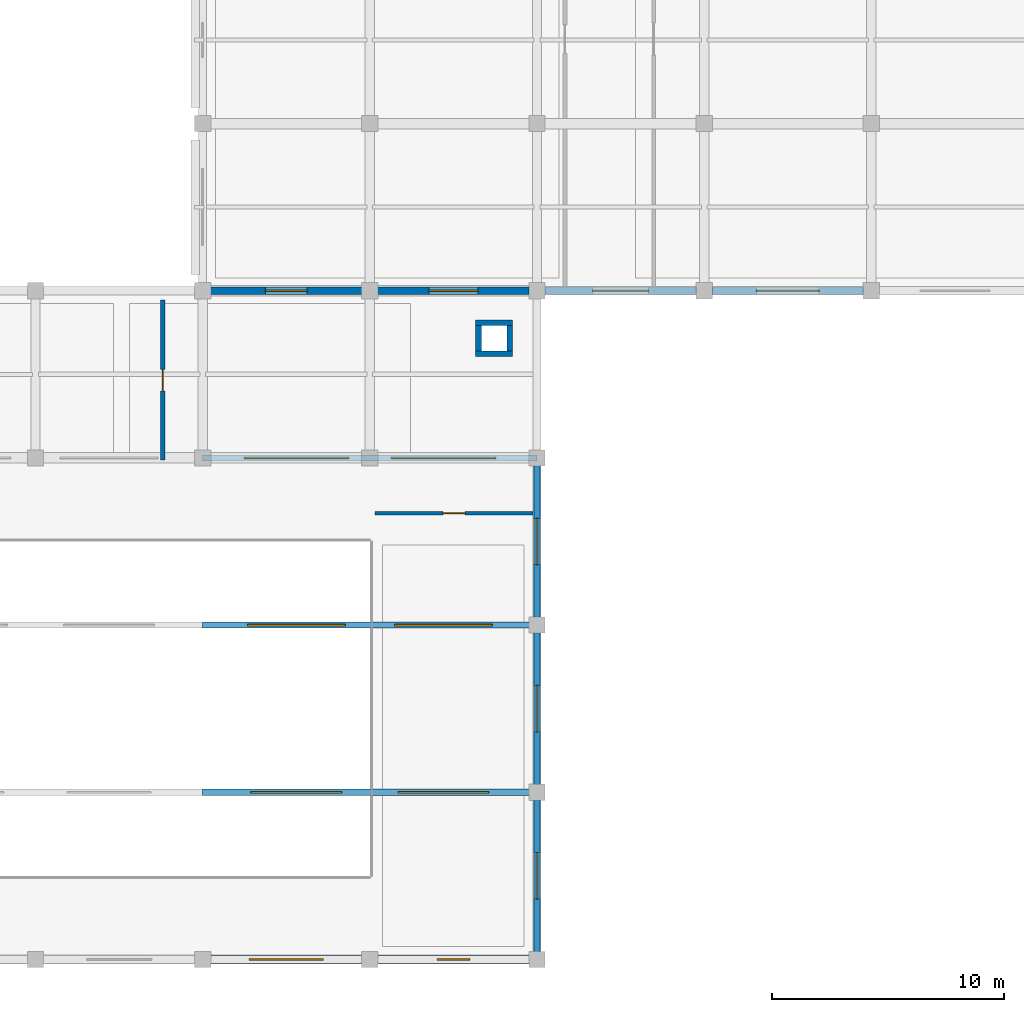
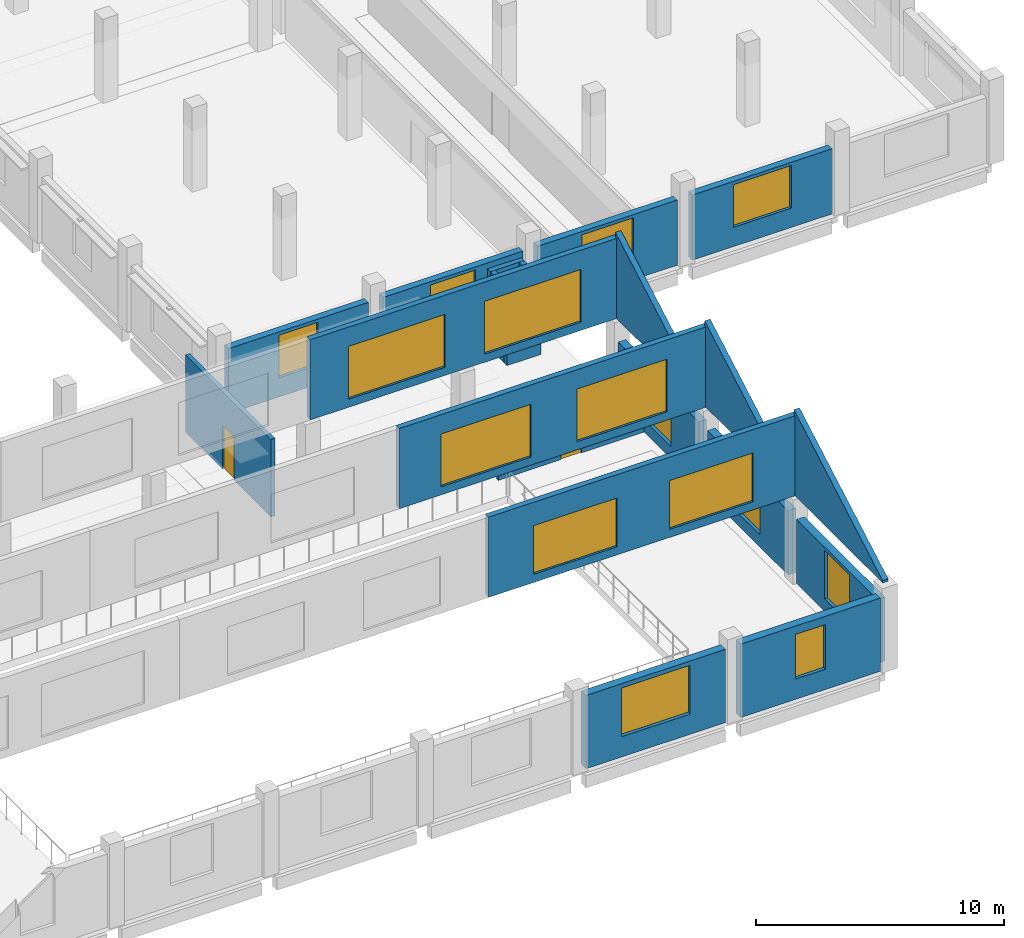
# One storey, part 45 of 62: 21 walls, 15 windows, 2 doors, 17 openings.
"""IFC4 building model written with IfcOpenShell, lengths in metres."""

from ifc_helpers import new_model, si_unit, direction, frame, frame_2d, origin, place, context, subcontext, project, spatial, polyline, rectangle, outline, extrude, material, layer, layer_set, type_object, element, fill, save


model = new_model("IFC4")

# Units and contexts
model_context = context("Model", 3, precision=1e-05, world=origin(), true_north=direction((0.0, 1.0)))
body_context = subcontext(model_context, "Body", "Model", "MODEL_VIEW")
ifc_project = project(units=[si_unit("LENGTHUNIT", "METRE"), si_unit("AREAUNIT", "SQUARE_METRE"), si_unit("VOLUMEUNIT", "CUBIC_METRE"), si_unit("PLANEANGLEUNIT", "RADIAN"), si_unit("MASSUNIT", "GRAM", prefix="KILO")], contexts=[model_context])

# Site, building, storey
site_placement = place(None, origin())
site = spatial("IfcSite", under=ifc_project, at=site_placement, CompositionType="ELEMENT")
building_placement = place(site_placement, origin())
building = spatial("IfcBuilding", under=site, at=building_placement, Name="Valkovuoma Quantum and Materials Research Institute", CompositionType="ELEMENT")
storey_placement = place(building_placement, frame((0.0, 0.0, 8.9599609375)))
storey = spatial("IfcBuildingStorey", under=building, at=storey_placement, Name="L02", CompositionType="ELEMENT", Elevation=8.9599609375)

# Wall, opening, window
ifc_material_1 = material(Name="Precast concrete C40/50", Category="concrete")
ifc_layer_1 = layer(ifc_material_1, 0.320068359375)
ifc_layer_set_1 = layer_set([ifc_layer_1], Name="Precast concrete C40/50")
wall_type_1 = type_object("IfcWallType", Name="Wall-W-EXT320", PredefinedType="SOLIDWALL", material=ifc_layer_set_1)
wall_1_placement = place(storey_placement, frame((129.93994140625, 36.0, 0.0), z_axis=(0.0, 0.0, 1.0), x_axis=(1.0, 0.0, 0.0)))
wall_1 = element("IfcWall", 1, at=wall_1_placement, inside=storey, type_object=wall_type_1, Name="L02 exterior wall 0264", PredefinedType="SOLIDWALL", context=body_context, shape_type="SweptSolid", body=[
    extrude(rectangle(XDim=6.52001953125, YDim=0.320068359375, at=frame_2d((3.260009765625, 0.0))), origin(), (0.0, 0.0, 1.0), 3.2099609375),
])
opening_1_placement = place(wall_1_placement, frame((2.360107421875, 0.0, 0.949951171875)))
opening_1 = element("IfcOpeningElement", 2, at=opening_1_placement, cuts=wall_1, Name="Opening WN-WL01", PredefinedType="OPENING", context=body_context, shape_type="SweptSolid", body=[
    extrude(rectangle(XDim=1.800048828125, YDim=2.10009765625, at=frame_2d((0.89990234375, 1.050048828125))), frame((0.0, 0.169921875, 0.0), z_axis=(0.0, -1.0, 0.0), x_axis=(1.0, 0.0, 0.0)), (0.0, 0.0, 1.0), 0.340087890625),
])
ifc_material_2 = material(Name="Triple low-E argon glazing in thermally broken aluminium frame", Category="aluminium")
window_type_1 = type_object("IfcWindowType", Name="Win-WN-WL01", PartitioningType="SINGLE_PANEL", PredefinedType="WINDOW", material=ifc_material_2)
window_1_placement = place(opening_1_placement, origin())
window_1 = element("IfcWindow", 3, at=window_1_placement, inside=storey, type_object=window_type_1, Name="L02 window 0280", OverallHeight=2.10009765625, OverallWidth=1.800048828125, PartitioningType="SINGLE_PANEL", PredefinedType="WINDOW", context=body_context, shape_type="SweptSolid", body=[
    extrude(rectangle(XDim=1.800048828125, YDim=2.10009765625, at=frame_2d((0.89990234375, 1.050048828125))), frame((0.0, 0.030029296875, 0.0), z_axis=(0.0, -1.0, 0.0), x_axis=(1.0, 0.0, 0.0)), (0.0, 0.0, 1.0), 0.06005859375),
])
fill(opening_1, window_1)

wall_2_placement = place(storey_placement, frame((137.139892578125, 36.0, 0.0), z_axis=(0.0, 0.0, 1.0), x_axis=(1.0, 0.0, 0.0)))
wall_2 = element("IfcWall", 4, at=wall_2_placement, inside=storey, type_object=wall_type_1, Name="L02 exterior wall 0265", PredefinedType="SOLIDWALL", context=body_context, shape_type="SweptSolid", body=[
    extrude(rectangle(XDim=6.52001953125, YDim=0.320068359375, at=frame_2d((3.260009765625, 0.0))), origin(), (0.0, 0.0, 1.0), 3.2099609375),
])
opening_2_placement = place(wall_2_placement, frame((2.2099609375, 0.0, 0.949951171875)))
opening_2 = element("IfcOpeningElement", 5, at=opening_2_placement, cuts=wall_2, Name="Opening WN-WL02", PredefinedType="OPENING", context=body_context, shape_type="SweptSolid", body=[
    extrude(rectangle(XDim=2.10009765625, YDim=2.10009765625, at=frame_2d((1.050048828125, 1.050048828125))), frame((0.0, 0.169921875, 0.0), z_axis=(0.0, -1.0, 0.0), x_axis=(1.0, 0.0, 0.0)), (0.0, 0.0, 1.0), 0.340087890625),
])
ifc_material_3 = material(Name="Triple low-E argon glazing in thermally broken aluminium frame", Category="aluminium")
window_type_2 = type_object("IfcWindowType", Name="Win-WN-WL02", PartitioningType="SINGLE_PANEL", PredefinedType="WINDOW", material=ifc_material_3)
window_2_placement = place(opening_2_placement, origin())
window_2 = element("IfcWindow", 6, at=window_2_placement, inside=storey, type_object=window_type_2, Name="L02 window 0281", OverallHeight=2.10009765625, OverallWidth=2.10009765625, PartitioningType="SINGLE_PANEL", PredefinedType="WINDOW", context=body_context, shape_type="SweptSolid", body=[
    extrude(rectangle(XDim=2.10009765625, YDim=2.10009765625, at=frame_2d((1.050048828125, 1.050048828125))), frame((0.0, 0.030029296875, 0.0), z_axis=(0.0, -1.0, 0.0), x_axis=(1.0, 0.0, 0.0)), (0.0, 0.0, 1.0), 0.06005859375),
])
fill(opening_2, window_2)

wall_3_placement = place(storey_placement, frame((144.340087890625, 36.0, 0.0), z_axis=(0.0, 0.0, 1.0), x_axis=(1.0, 0.0, 0.0)))
wall_3 = element("IfcWall", 7, at=wall_3_placement, inside=storey, type_object=wall_type_1, Name="L02 exterior wall 0266", PredefinedType="SOLIDWALL", context=body_context, shape_type="SweptSolid", body=[
    extrude(rectangle(XDim=6.52001953125, YDim=0.320068359375, at=frame_2d((3.260009765625, 0.0))), origin(), (0.0, 0.0, 1.0), 3.2099609375),
])
opening_3_placement = place(wall_3_placement, frame((2.06005859375, 0.0, 0.949951171875)))
opening_3 = element("IfcOpeningElement", 8, at=opening_3_placement, cuts=wall_3, Name="Opening WN-WL03", PredefinedType="OPENING", context=body_context, shape_type="SweptSolid", body=[
    extrude(rectangle(XDim=2.39990234375, YDim=2.10009765625, at=frame_2d((1.199951171875, 1.050048828125))), frame((0.0, 0.169921875, 0.0), z_axis=(0.0, -1.0, 0.0), x_axis=(1.0, 0.0, 0.0)), (0.0, 0.0, 1.0), 0.340087890625),
])
ifc_material_4 = material(Name="Triple low-E argon glazing in thermally broken aluminium frame", Category="aluminium")
window_type_3 = type_object("IfcWindowType", Name="Win-WN-WL03", PartitioningType="SINGLE_PANEL", PredefinedType="WINDOW", material=ifc_material_4)
window_3_placement = place(opening_3_placement, origin())
window_3 = element("IfcWindow", 9, at=window_3_placement, inside=storey, type_object=window_type_3, Name="L02 window 0282", OverallHeight=2.10009765625, OverallWidth=2.39990234375, PartitioningType="SINGLE_PANEL", PredefinedType="WINDOW", context=body_context, shape_type="SweptSolid", body=[
    extrude(rectangle(XDim=2.39990234375, YDim=2.10009765625, at=frame_2d((1.199951171875, 1.050048828125))), frame((0.0, 0.030029296875, 0.0), z_axis=(0.0, -1.0, 0.0), x_axis=(1.0, 0.0, 0.0)), (0.0, 0.0, 1.0), 0.06005859375),
])
fill(opening_3, window_3)

wall_4_placement = place(storey_placement, frame((151.5400390625, 36.0, 0.0), z_axis=(0.0, 0.0, 1.0), x_axis=(1.0, 0.0, 0.0)))
wall_4 = element("IfcWall", 10, at=wall_4_placement, inside=storey, type_object=wall_type_1, Name="L02 exterior wall 0267", PredefinedType="SOLIDWALL", context=body_context, shape_type="SweptSolid", body=[
    extrude(rectangle(XDim=6.52001953125, YDim=0.320068359375, at=frame_2d((3.260009765625, 0.0))), origin(), (0.0, 0.0, 1.0), 3.2099609375),
])
opening_4_placement = place(wall_4_placement, frame((1.909912109375, 0.0, 0.949951171875)))
opening_4 = element("IfcOpeningElement", 11, at=opening_4_placement, cuts=wall_4, Name="Opening WN-WL04", PredefinedType="OPENING", context=body_context, shape_type="SweptSolid", body=[
    extrude(rectangle(XDim=2.699951171875, YDim=2.10009765625, at=frame_2d((1.35009765625, 1.050048828125))), frame((0.0, 0.169921875, 0.0), z_axis=(0.0, -1.0, 0.0), x_axis=(1.0, 0.0, 0.0)), (0.0, 0.0, 1.0), 0.340087890625),
])
ifc_material_5 = material(Name="Triple low-E argon glazing in thermally broken aluminium frame", Category="aluminium")
window_type_4 = type_object("IfcWindowType", Name="Win-WN-WL04", PartitioningType="SINGLE_PANEL", PredefinedType="WINDOW", material=ifc_material_5)
window_4_placement = place(opening_4_placement, origin())
window_4 = element("IfcWindow", 12, at=window_4_placement, inside=storey, type_object=window_type_4, Name="L02 window 0283", OverallHeight=2.10009765625, OverallWidth=2.699951171875, PartitioningType="SINGLE_PANEL", PredefinedType="WINDOW", context=body_context, shape_type="SweptSolid", body=[
    extrude(rectangle(XDim=2.699951171875, YDim=2.10009765625, at=frame_2d((1.35009765625, 1.050048828125))), frame((0.0, 0.030029296875, 0.0), z_axis=(0.0, -1.0, 0.0), x_axis=(1.0, 0.0, 0.0)), (0.0, 0.0, 1.0), 0.06005859375),
])
fill(opening_4, window_4)

ifc_material_6 = material(Name="Precast concrete C40/50", Category="concrete")
ifc_layer_2 = layer(ifc_material_6, 0.360107421875)
ifc_layer_set_2 = layer_set([ifc_layer_2], Name="Precast concrete C40/50")
wall_type_2 = type_object("IfcWallType", Name="Wall-W-EXT360", PredefinedType="SOLIDWALL", material=ifc_layer_set_2)
wall_5_placement = place(storey_placement, frame((144.0, 7.5400390625, 0.0), z_axis=(0.0, 0.0, 1.0), x_axis=(0.0, 1.0, 0.0)))
wall_5 = element("IfcWall", 13, at=wall_5_placement, inside=storey, type_object=wall_type_2, Name="L02 exterior wall 0112", PredefinedType="SOLIDWALL", context=body_context, shape_type="SweptSolid", body=[
    extrude(rectangle(XDim=6.52001953125, YDim=0.360107421875, at=frame_2d((3.260009765625, 0.0))), origin(), (0.0, 0.0, 1.0), 3.16015625),
])
opening_5_placement = place(wall_5_placement, frame((2.260009765625, 0.0, 0.60009765625)))
opening_5 = element("IfcOpeningElement", 14, at=opening_5_placement, cuts=wall_5, Name="Opening WN-LF02", PredefinedType="OPENING", context=body_context, shape_type="SweptSolid", body=[
    extrude(rectangle(XDim=2.0, YDim=2.39990234375, at=frame_2d((1.0, 1.199951171875))), frame((0.0, 0.18994140625, 0.0), z_axis=(0.0, -1.0, 0.0), x_axis=(1.0, 0.0, 0.0)), (0.0, 0.0, 1.0), 0.380126953125),
])
ifc_material_7 = material(Name="Triple low-E argon glazing in thermally broken aluminium frame", Category="aluminium")
window_type_5 = type_object("IfcWindowType", Name="Win-WN-LF02", PartitioningType="SINGLE_PANEL", PredefinedType="WINDOW", material=ifc_material_7)
window_5_placement = place(opening_5_placement, origin())
window_5 = element("IfcWindow", 15, at=window_5_placement, inside=storey, type_object=window_type_5, Name="L02 window 0101", OverallHeight=2.39990234375, OverallWidth=2.0, PartitioningType="SINGLE_PANEL", PredefinedType="WINDOW", context=body_context, shape_type="SweptSolid", body=[
    extrude(rectangle(XDim=2.0, YDim=2.39990234375, at=frame_2d((1.0, 1.199951171875))), frame((0.0, 0.030029296875, 0.0), z_axis=(0.0, -1.0, 0.0), x_axis=(1.0, 0.0, 0.0)), (0.0, 0.0, 1.0), 0.06005859375),
])
fill(opening_5, window_5)

wall_6_placement = place(storey_placement, frame((144.0, 14.739990234375, 0.0), z_axis=(0.0, 0.0, 1.0), x_axis=(0.0, 1.0, 0.0)))
wall_6 = element("IfcWall", 16, at=wall_6_placement, inside=storey, type_object=wall_type_2, Name="L02 exterior wall 0113", PredefinedType="SOLIDWALL", context=body_context, shape_type="SweptSolid", body=[
    extrude(rectangle(XDim=6.52001953125, YDim=0.360107421875, at=frame_2d((3.260009765625, 0.0))), origin(), (0.0, 0.0, 1.0), 3.16015625),
])
opening_6_placement = place(wall_6_placement, frame((2.260009765625, 0.0, 0.60009765625)))
opening_6 = element("IfcOpeningElement", 17, at=opening_6_placement, cuts=wall_6, Name="Opening WN-LF02", PredefinedType="OPENING", context=body_context, shape_type="SweptSolid", body=[
    extrude(rectangle(XDim=2.0, YDim=2.39990234375, at=frame_2d((1.0, 1.199951171875))), frame((0.0, 0.18994140625, 0.0), z_axis=(0.0, -1.0, 0.0), x_axis=(1.0, 0.0, 0.0)), (0.0, 0.0, 1.0), 0.380126953125),
])
window_6_placement = place(opening_6_placement, origin())
window_6 = element("IfcWindow", 18, at=window_6_placement, inside=storey, type_object=window_type_5, Name="L02 window 0102", OverallHeight=2.39990234375, OverallWidth=2.0, PartitioningType="SINGLE_PANEL", PredefinedType="WINDOW", context=body_context, shape_type="SweptSolid", body=[
    extrude(rectangle(XDim=2.0, YDim=2.39990234375, at=frame_2d((1.0, 1.199951171875))), frame((0.0, 0.030029296875, 0.0), z_axis=(0.0, -1.0, 0.0), x_axis=(1.0, 0.0, 0.0)), (0.0, 0.0, 1.0), 0.06005859375),
])
fill(opening_6, window_6)

wall_7_placement = place(storey_placement, frame((144.0, 21.93994140625, 0.0), z_axis=(0.0, 0.0, 1.0), x_axis=(0.0, 1.0, 0.0)))
wall_7 = element("IfcWall", 19, at=wall_7_placement, inside=storey, type_object=wall_type_2, Name="L02 exterior wall 0114", PredefinedType="SOLIDWALL", context=body_context, shape_type="SweptSolid", body=[
    extrude(rectangle(XDim=6.52001953125, YDim=0.360107421875, at=frame_2d((3.260009765625, 0.0))), origin(), (0.0, 0.0, 1.0), 3.16015625),
])
opening_7_placement = place(wall_7_placement, frame((2.260009765625, 0.0, 0.60009765625)))
opening_7 = element("IfcOpeningElement", 20, at=opening_7_placement, cuts=wall_7, Name="Opening WN-LF02", PredefinedType="OPENING", context=body_context, shape_type="SweptSolid", body=[
    extrude(rectangle(XDim=2.0, YDim=2.39990234375, at=frame_2d((1.0, 1.199951171875))), frame((0.0, 0.18994140625, 0.0), z_axis=(0.0, -1.0, 0.0), x_axis=(1.0, 0.0, 0.0)), (0.0, 0.0, 1.0), 0.380126953125),
])
window_7_placement = place(opening_7_placement, origin())
window_7 = element("IfcWindow", 21, at=window_7_placement, inside=storey, type_object=window_type_5, Name="L02 window 0103", OverallHeight=2.39990234375, OverallWidth=2.0, PartitioningType="SINGLE_PANEL", PredefinedType="WINDOW", context=body_context, shape_type="SweptSolid", body=[
    extrude(rectangle(XDim=2.0, YDim=2.39990234375, at=frame_2d((1.0, 1.199951171875))), frame((0.0, 0.030029296875, 0.0), z_axis=(0.0, -1.0, 0.0), x_axis=(1.0, 0.0, 0.0)), (0.0, 0.0, 1.0), 0.06005859375),
])
fill(opening_7, window_7)

ifc_material_8 = material(Name="Precast concrete C40/50", Category="concrete")
ifc_layer_3 = layer(ifc_material_8, 0.3798828125)
ifc_layer_set_3 = layer_set([ifc_layer_3], Name="Precast concrete C40/50")
wall_type_3 = type_object("IfcWallType", Name="Wall-W-EXT380", PredefinedType="SOLIDWALL", material=ifc_layer_set_3)
wall_8_placement = place(storey_placement, frame((129.93994140625, 7.199951171875, 0.0), z_axis=(0.0, 0.0, 1.0), x_axis=(1.0, 0.0, 0.0)))
wall_8 = element("IfcWall", 22, at=wall_8_placement, inside=storey, type_object=wall_type_3, Name="L02 exterior wall 0106", PredefinedType="SOLIDWALL", context=body_context, shape_type="SweptSolid", body=[
    extrude(rectangle(XDim=6.52001953125, YDim=0.3798828125, at=frame_2d((3.260009765625, 0.0))), origin(), (0.0, 0.0, 1.0), 3.610107421875),
])
opening_8_placement = place(wall_8_placement, frame((1.659912109375, 0.0, 1.0)))
opening_8 = element("IfcOpeningElement", 23, at=opening_8_placement, cuts=wall_8, Name="Opening WN-LF05", PredefinedType="OPENING", context=body_context, shape_type="SweptSolid", body=[
    extrude(rectangle(XDim=3.199951171875, YDim=2.39990234375, at=frame_2d((1.60009765625, 1.199951171875))), frame((0.0, 0.199951171875, 0.0), z_axis=(0.0, -1.0, 0.0), x_axis=(1.0, 0.0, 0.0)), (0.0, 0.0, 1.0), 0.39990234375),
])
ifc_material_9 = material(Name="Triple low-E argon glazing in thermally broken aluminium frame", Category="aluminium")
window_type_6 = type_object("IfcWindowType", Name="Win-WN-LF05", PartitioningType="SINGLE_PANEL", PredefinedType="WINDOW", material=ifc_material_9)
window_8_placement = place(opening_8_placement, origin())
window_8 = element("IfcWindow", 24, at=window_8_placement, inside=storey, type_object=window_type_6, Name="L02 window 0095", OverallHeight=2.39990234375, OverallWidth=3.199951171875, PartitioningType="SINGLE_PANEL", PredefinedType="WINDOW", context=body_context, shape_type="SweptSolid", body=[
    extrude(rectangle(XDim=3.199951171875, YDim=2.39990234375, at=frame_2d((1.60009765625, 1.199951171875))), frame((0.0, 0.030029296875, 0.0), z_axis=(0.0, -1.0, 0.0), x_axis=(1.0, 0.0, 0.0)), (0.0, 0.0, 1.0), 0.06005859375),
])
fill(opening_8, window_8)

wall_9_placement = place(storey_placement, frame((137.139892578125, 7.199951171875, 0.0), z_axis=(0.0, 0.0, 1.0), x_axis=(1.0, 0.0, 0.0)))
wall_9 = element("IfcWall", 25, at=wall_9_placement, inside=storey, type_object=wall_type_3, Name="L02 exterior wall 0107", PredefinedType="SOLIDWALL", context=body_context, shape_type="SweptSolid", body=[
    extrude(rectangle(XDim=6.52001953125, YDim=0.3798828125, at=frame_2d((3.260009765625, 0.0))), origin(), (0.0, 0.0, 1.0), 3.610107421875),
])
opening_9_placement = place(wall_9_placement, frame((2.56005859375, 0.0, 1.0)))
opening_9 = element("IfcOpeningElement", 26, at=opening_9_placement, cuts=wall_9, Name="Opening WN-LF06", PredefinedType="OPENING", context=body_context, shape_type="SweptSolid", body=[
    extrude(rectangle(XDim=1.39990234375, YDim=2.199951171875, at=frame_2d((0.699951171875, 1.10009765625))), frame((0.0, 0.199951171875, 0.0), z_axis=(0.0, -1.0, 0.0), x_axis=(1.0, 0.0, 0.0)), (0.0, 0.0, 1.0), 0.39990234375),
])
ifc_material_10 = material(Name="Triple low-E argon glazing in thermally broken aluminium frame", Category="aluminium")
window_type_7 = type_object("IfcWindowType", Name="Win-WN-LF06", PartitioningType="SINGLE_PANEL", PredefinedType="WINDOW", material=ifc_material_10)
window_9_placement = place(opening_9_placement, origin())
window_9 = element("IfcWindow", 27, at=window_9_placement, inside=storey, type_object=window_type_7, Name="L02 window 0096", OverallHeight=2.199951171875, OverallWidth=1.39990234375, PartitioningType="SINGLE_PANEL", PredefinedType="WINDOW", context=body_context, shape_type="SweptSolid", body=[
    extrude(rectangle(XDim=1.39990234375, YDim=2.199951171875, at=frame_2d((0.699951171875, 1.10009765625))), frame((0.0, 0.030029296875, 0.0), z_axis=(0.0, -1.0, 0.0), x_axis=(1.0, 0.0, 0.0)), (0.0, 0.0, 1.0), 0.06005859375),
])
fill(opening_9, window_9)

# Wall, openings, windows
ifc_material_11 = material(Name="Precast concrete C40/50", Category="concrete")
ifc_layer_4 = layer(ifc_material_11, 0.260009765625)
ifc_layer_set_4 = layer_set([ifc_layer_4], Name="Precast concrete C40/50")
wall_type_4 = type_object("IfcWallType", Name="Wall-W-GAB260", PredefinedType="SOLIDWALL", material=ifc_layer_set_4)
wall_10_placement = place(storey_placement, frame((129.60009765625, 14.39990234375, 4.16015625), z_axis=(0.0, 0.0, 1.0), x_axis=(1.0, 0.0, 0.0)))
wall_10 = element("IfcWall", 28, at=wall_10_placement, inside=storey, type_object=wall_type_4, Name="L02 exterior wall 0387", PredefinedType="SOLIDWALL", context=body_context, shape_type="SweptSolid", body=[
    extrude(rectangle(XDim=14.39990234375, YDim=0.260009765625, at=frame_2d((7.199951171875, 0.0))), origin(), (0.0, 0.0, 1.0), 3.949951171875),
])
opening_10_placement = place(wall_10_placement, frame((2.08203125, 0.0, 0.39990234375)))
opening_10 = element("IfcOpeningElement", 29, at=opening_10_placement, cuts=wall_10, Name="Opening SKY-05", PredefinedType="OPENING", context=body_context, shape_type="SweptSolid", body=[
    extrude(rectangle(XDim=3.89990234375, YDim=2.39990234375, at=frame_2d((1.949951171875, 1.199951171875))), frame((0.0, 0.14013671875, 0.0), z_axis=(0.0, -1.0, 0.0), x_axis=(1.0, 0.0, 0.0)), (0.0, 0.0, 1.0), 0.280029296875),
])
opening_11_placement = place(wall_10_placement, frame((8.41796875, 0.0, 0.39990234375)))
opening_11 = element("IfcOpeningElement", 30, at=opening_11_placement, cuts=wall_10, Name="Opening SKY-05", PredefinedType="OPENING", context=body_context, shape_type="SweptSolid", body=[
    extrude(rectangle(XDim=3.89990234375, YDim=2.39990234375, at=frame_2d((1.949951171875, 1.199951171875))), frame((0.0, 0.14013671875, 0.0), z_axis=(0.0, -1.0, 0.0), x_axis=(1.0, 0.0, 0.0)), (0.0, 0.0, 1.0), 0.280029296875),
])
ifc_material_12 = material(Name="Triple low-E laminated safety glass skylight", Category="glass")
window_type_8 = type_object("IfcWindowType", Name="Win-SKY-05", PartitioningType="SINGLE_PANEL", PredefinedType="SKYLIGHT", material=ifc_material_12)
window_10_placement = place(opening_10_placement, origin())
window_10 = element("IfcWindow", 31, at=window_10_placement, inside=storey, type_object=window_type_8, Name="L02 window 0383", OverallHeight=2.39990234375, OverallWidth=3.89990234375, PartitioningType="SINGLE_PANEL", PredefinedType="SKYLIGHT", context=body_context, shape_type="SweptSolid", body=[
    extrude(rectangle(XDim=3.89990234375, YDim=2.39990234375, at=frame_2d((1.949951171875, 1.199951171875))), frame((0.0, 0.030029296875, 0.0), z_axis=(0.0, -1.0, 0.0), x_axis=(1.0, 0.0, 0.0)), (0.0, 0.0, 1.0), 0.06005859375),
])
fill(opening_10, window_10)
window_11_placement = place(opening_11_placement, origin())
window_11 = element("IfcWindow", 32, at=window_11_placement, inside=storey, type_object=window_type_8, Name="L02 window 0384", OverallHeight=2.39990234375, OverallWidth=3.89990234375, PartitioningType="SINGLE_PANEL", PredefinedType="SKYLIGHT", context=body_context, shape_type="SweptSolid", body=[
    extrude(rectangle(XDim=3.89990234375, YDim=2.39990234375, at=frame_2d((1.949951171875, 1.199951171875))), frame((0.0, 0.030029296875, 0.0), z_axis=(0.0, -1.0, 0.0), x_axis=(1.0, 0.0, 0.0)), (0.0, 0.0, 1.0), 0.06005859375),
])
fill(opening_11, window_11)

# Wall
wall_11_placement = place(storey_placement, frame((144.0, 7.199951171875, 4.16015625), z_axis=(0.0, 0.0, 1.0), x_axis=(0.0, 1.0, 0.0)))
element("IfcWall", 33, at=wall_11_placement, inside=storey, type_object=wall_type_4, Name="L02 VOL1 sawtooth cheek wall 1E", PredefinedType="SOLIDWALL", context=body_context, shape_type="SweptSolid", body=[
    extrude(outline(polyline([(0.0, 0.0), (7.199951171875, 0.0), (7.199951171875, 0.119873046875), (7.159912109375, 4.199951171875), (0.0, 0.119873046875), (0.0, 0.0)])), frame((0.0, 0.1298828125, 0.0), z_axis=(0.0, -1.0, 0.0), x_axis=(1.0, 0.0, 0.0)), (0.0, 0.0, 1.0), 0.260009765625),
])

# Wall, openings, windows
wall_12_placement = place(storey_placement, frame((129.60009765625, 21.60009765625, 4.16015625), z_axis=(0.0, 0.0, 1.0), x_axis=(1.0, 0.0, 0.0)))
wall_12 = element("IfcWall", 34, at=wall_12_placement, inside=storey, type_object=wall_type_4, Name="L02 exterior wall 0392", PredefinedType="SOLIDWALL", context=body_context, shape_type="SweptSolid", body=[
    extrude(rectangle(XDim=14.39990234375, YDim=0.260009765625, at=frame_2d((7.199951171875, 0.0))), origin(), (0.0, 0.0, 1.0), 3.949951171875),
])
opening_12_placement = place(wall_12_placement, frame((1.931884765625, 0.0, 0.39990234375)))
opening_12 = element("IfcOpeningElement", 35, at=opening_12_placement, cuts=wall_12, Name="Opening SKY-01", PredefinedType="OPENING", context=body_context, shape_type="SweptSolid", body=[
    extrude(rectangle(XDim=4.199951171875, YDim=2.60009765625, at=frame_2d((2.10009765625, 1.300048828125))), frame((0.0, 0.14013671875, 0.0), z_axis=(0.0, -1.0, 0.0), x_axis=(1.0, 0.0, 0.0)), (0.0, 0.0, 1.0), 0.280029296875),
])
opening_13_placement = place(wall_12_placement, frame((8.26806640625, 0.0, 0.39990234375)))
opening_13 = element("IfcOpeningElement", 36, at=opening_13_placement, cuts=wall_12, Name="Opening SKY-01", PredefinedType="OPENING", context=body_context, shape_type="SweptSolid", body=[
    extrude(rectangle(XDim=4.199951171875, YDim=2.60009765625, at=frame_2d((2.10009765625, 1.300048828125))), frame((0.0, 0.14013671875, 0.0), z_axis=(0.0, -1.0, 0.0), x_axis=(1.0, 0.0, 0.0)), (0.0, 0.0, 1.0), 0.280029296875),
])
ifc_material_13 = material(Name="Triple low-E laminated safety glass skylight", Category="glass")
window_type_9 = type_object("IfcWindowType", Name="Win-SKY-01", PartitioningType="SINGLE_PANEL", PredefinedType="SKYLIGHT", material=ifc_material_13)
window_12_placement = place(opening_12_placement, origin())
window_12 = element("IfcWindow", 37, at=window_12_placement, inside=storey, type_object=window_type_9, Name="L02 window 0389", OverallHeight=2.60009765625, OverallWidth=4.199951171875, PartitioningType="SINGLE_PANEL", PredefinedType="SKYLIGHT", context=body_context, shape_type="SweptSolid", body=[
    extrude(rectangle(XDim=4.199951171875, YDim=2.60009765625, at=frame_2d((2.10009765625, 1.300048828125))), frame((0.0, 0.030029296875, 0.0), z_axis=(0.0, -1.0, 0.0), x_axis=(1.0, 0.0, 0.0)), (0.0, 0.0, 1.0), 0.06005859375),
])
fill(opening_12, window_12)
window_13_placement = place(opening_13_placement, origin())
window_13 = element("IfcWindow", 38, at=window_13_placement, inside=storey, type_object=window_type_9, Name="L02 window 0390", OverallHeight=2.60009765625, OverallWidth=4.199951171875, PartitioningType="SINGLE_PANEL", PredefinedType="SKYLIGHT", context=body_context, shape_type="SweptSolid", body=[
    extrude(rectangle(XDim=4.199951171875, YDim=2.60009765625, at=frame_2d((2.10009765625, 1.300048828125))), frame((0.0, 0.030029296875, 0.0), z_axis=(0.0, -1.0, 0.0), x_axis=(1.0, 0.0, 0.0)), (0.0, 0.0, 1.0), 0.06005859375),
])
fill(opening_13, window_13)

# Wall
wall_13_placement = place(storey_placement, frame((144.0, 14.39990234375, 4.16015625), z_axis=(0.0, 0.0, 1.0), x_axis=(0.0, 1.0, 0.0)))
element("IfcWall", 39, at=wall_13_placement, inside=storey, type_object=wall_type_4, Name="L02 VOL1 sawtooth cheek wall 2E", PredefinedType="SOLIDWALL", context=body_context, shape_type="SweptSolid", body=[
    extrude(outline(polyline([(0.0, 0.0), (7.2001953125, 0.0), (7.199951171875, 0.119873046875), (7.159912109375, 4.199951171875), (0.0, 0.119873046875), (0.0, 0.0)])), frame((0.0, 0.1298828125, 0.0), z_axis=(0.0, -1.0, 0.0), x_axis=(1.0, 0.0, 0.0)), (0.0, 0.0, 1.0), 0.260009765625),
])

# Wall, openings, windows
wall_14_placement = place(storey_placement, frame((129.60009765625, 28.800048828125, 4.16015625), z_axis=(0.0, 0.0, 1.0), x_axis=(1.0, 0.0, 0.0)))
wall_14 = element("IfcWall", 40, at=wall_14_placement, inside=storey, type_object=wall_type_4, Name="L02 exterior wall 0397", PredefinedType="SOLIDWALL", context=body_context, shape_type="SweptSolid", body=[
    extrude(rectangle(XDim=14.39990234375, YDim=0.260009765625, at=frame_2d((7.199951171875, 0.0))), origin(), (0.0, 0.0, 1.0), 3.949951171875),
])
opening_14_placement = place(wall_14_placement, frame((1.781982421875, 0.0, 0.39990234375)))
opening_14 = element("IfcOpeningElement", 41, at=opening_14_placement, cuts=wall_14, Name="Opening SKY-02", PredefinedType="OPENING", context=body_context, shape_type="SweptSolid", body=[
    extrude(rectangle(XDim=4.5, YDim=2.60009765625, at=frame_2d((2.25, 1.300048828125))), frame((0.0, 0.14013671875, 0.0), z_axis=(0.0, -1.0, 0.0), x_axis=(1.0, 0.0, 0.0)), (0.0, 0.0, 1.0), 0.280029296875),
])
opening_15_placement = place(wall_14_placement, frame((8.117919921875, 0.0, 0.39990234375)))
opening_15 = element("IfcOpeningElement", 42, at=opening_15_placement, cuts=wall_14, Name="Opening SKY-02", PredefinedType="OPENING", context=body_context, shape_type="SweptSolid", body=[
    extrude(rectangle(XDim=4.5, YDim=2.60009765625, at=frame_2d((2.25, 1.300048828125))), frame((0.0, 0.14013671875, 0.0), z_axis=(0.0, -1.0, 0.0), x_axis=(1.0, 0.0, 0.0)), (0.0, 0.0, 1.0), 0.280029296875),
])
ifc_material_14 = material(Name="Triple low-E laminated safety glass skylight", Category="glass")
window_type_10 = type_object("IfcWindowType", Name="Win-SKY-02", PartitioningType="SINGLE_PANEL", PredefinedType="SKYLIGHT", material=ifc_material_14)
window_14_placement = place(opening_14_placement, origin())
window_14 = element("IfcWindow", 43, at=window_14_placement, inside=storey, type_object=window_type_10, Name="L02 window 0395", OverallHeight=2.60009765625, OverallWidth=4.5, PartitioningType="SINGLE_PANEL", PredefinedType="SKYLIGHT", context=body_context, shape_type="SweptSolid", body=[
    extrude(rectangle(XDim=4.5, YDim=2.60009765625, at=frame_2d((2.25, 1.300048828125))), frame((0.0, 0.030029296875, 0.0), z_axis=(0.0, -1.0, 0.0), x_axis=(1.0, 0.0, 0.0)), (0.0, 0.0, 1.0), 0.06005859375),
])
fill(opening_14, window_14)
window_15_placement = place(opening_15_placement, origin())
window_15 = element("IfcWindow", 44, at=window_15_placement, inside=storey, type_object=window_type_10, Name="L02 window 0396", OverallHeight=2.60009765625, OverallWidth=4.5, PartitioningType="SINGLE_PANEL", PredefinedType="SKYLIGHT", context=body_context, shape_type="SweptSolid", body=[
    extrude(rectangle(XDim=4.5, YDim=2.60009765625, at=frame_2d((2.25, 1.300048828125))), frame((0.0, 0.030029296875, 0.0), z_axis=(0.0, -1.0, 0.0), x_axis=(1.0, 0.0, 0.0)), (0.0, 0.0, 1.0), 0.06005859375),
])
fill(opening_15, window_15)

# Wall
wall_15_placement = place(storey_placement, frame((144.0, 21.60009765625, 4.16015625), z_axis=(0.0, 0.0, 1.0), x_axis=(0.0, 1.0, 0.0)))
element("IfcWall", 45, at=wall_15_placement, inside=storey, type_object=wall_type_4, Name="L02 VOL1 sawtooth cheek wall 3E", PredefinedType="SOLIDWALL", context=body_context, shape_type="SweptSolid", body=[
    extrude(outline(polyline([(0.0, 0.0), (7.199951171875, 0.0), (7.199951171875, 0.119873046875), (7.159912109375, 4.199951171875), (0.0, 0.119873046875), (0.0, 0.0)])), frame((0.0, 0.1298828125, 0.0), z_axis=(0.0, -1.0, 0.0), x_axis=(1.0, 0.0, 0.0)), (0.0, 0.0, 1.0), 0.260009765625),
])

# Wall, opening, door
ifc_material_15 = material(Name="Acoustic write-up studio partition", Category="masonry")
ifc_layer_5 = layer(ifc_material_15, 0.14990234375)
ifc_layer_set_5 = layer_set([ifc_layer_5], Name="Acoustic write-up studio partition")
wall_type_5 = type_object("IfcWallType", Name="Wall-W-PRT150", PredefinedType="PARTITIONING", material=ifc_layer_set_5)
wall_16_placement = place(storey_placement, frame((137.02490234375, 26.419921875, 0.0), z_axis=(0.0, 0.0, 1.0), x_axis=(1.0, 0.0, 0.0)))
wall_16 = element("IfcWall", 46, at=wall_16_placement, inside=storey, type_object=wall_type_5, Name="L02 partition 0116", PredefinedType="PARTITIONING", context=body_context, shape_type="SweptSolid", body=[
    extrude(rectangle(XDim=6.795166015625, YDim=0.14990234375, at=frame_2d((3.3974609375, 0.0))), origin(), (0.0, 0.0, 1.0), 3.16015625),
])
opening_16_placement = place(wall_16_placement, frame((2.91748046875, 0.0, 0.0)))
opening_16 = element("IfcOpeningElement", 47, at=opening_16_placement, cuts=wall_16, Name="Opening ID-0084", PredefinedType="OPENING", context=body_context, shape_type="SweptSolid", body=[
    extrude(rectangle(XDim=0.9599609375, YDim=2.14990234375, at=frame_2d((0.47998046875, 1.074951171875))), frame((0.0, 0.0849609375, 0.0), z_axis=(0.0, -1.0, 0.0), x_axis=(1.0, 0.0, 0.0)), (0.0, 0.0, 1.0), 0.169921875),
])
ifc_material_16 = material(Name="Powder-coated steel and acoustic timber door assembly", Category="steel")
door_type_1 = type_object("IfcDoorType", Name="Door-DR-OF06", OperationType="NOTDEFINED", PredefinedType="DOOR", material=ifc_material_16)
door_1_placement = place(opening_16_placement, origin())
door_1 = element("IfcDoor", 48, at=door_1_placement, inside=storey, type_object=door_type_1, Name="L02 room door 0084", OperationType="SINGLE_SWING_LEFT", OverallHeight=2.14990234375, OverallWidth=0.9599609375, PredefinedType="DOOR", context=body_context, shape_type="SweptSolid", body=[
    extrude(rectangle(XDim=0.9599609375, YDim=2.14990234375, at=frame_2d((0.47998046875, 1.074951171875))), frame((0.0, 0.02490234375, 0.0), z_axis=(0.0, -1.0, 0.0), x_axis=(1.0, 0.0, 0.0)), (0.0, 0.0, 1.0), 0.050048828125),
])
fill(opening_16, door_1)

ifc_material_17 = material(Name="Acoustic double-stud gypsum and mineral wool partition", Category="masonry")
ifc_layer_6 = layer(ifc_material_17, 0.199951171875)
ifc_layer_set_6 = layer_set([ifc_layer_6], Name="Acoustic double-stud gypsum and mineral wool partition")
wall_type_6 = type_object("IfcWallType", Name="Wall-W-PRT200", PredefinedType="PARTITIONING", material=ifc_layer_set_6)
wall_17_placement = place(storey_placement, frame((127.887939453125, 28.699951171875, 0.0), z_axis=(0.0, 0.0, 1.0), x_axis=(0.0, 1.0, 0.0)))
wall_17 = element("IfcWall", 49, at=wall_17_placement, inside=storey, type_object=wall_type_6, Name="L02 partition 0115", PredefinedType="PARTITIONING", context=body_context, shape_type="SweptSolid", body=[
    extrude(rectangle(XDim=6.900146484375, YDim=0.199951171875, at=frame_2d((3.4501953125, 0.0))), origin(), (0.0, 0.0, 1.0), 3.81005859375),
])
opening_17_placement = place(wall_17_placement, frame((2.989990234375, 0.0, 0.0)))
opening_17 = element("IfcOpeningElement", 50, at=opening_17_placement, cuts=wall_17, Name="Opening ID-0083", PredefinedType="OPENING", context=body_context, shape_type="SweptSolid", body=[
    extrude(rectangle(XDim=0.919921875, YDim=2.14990234375, at=frame_2d((0.4599609375, 1.074951171875))), frame((0.0, 0.10986328125, 0.0), z_axis=(0.0, -1.0, 0.0), x_axis=(1.0, 0.0, 0.0)), (0.0, 0.0, 1.0), 0.219970703125),
])
ifc_material_18 = material(Name="Powder-coated steel and acoustic timber door assembly", Category="steel")
door_type_2 = type_object("IfcDoorType", Name="Door-DR-OF05", OperationType="NOTDEFINED", PredefinedType="DOOR", material=ifc_material_18)
door_2_placement = place(opening_17_placement, origin())
door_2 = element("IfcDoor", 51, at=door_2_placement, inside=storey, type_object=door_type_2, Name="L02 room door 0083", OperationType="SINGLE_SWING_RIGHT", OverallHeight=2.14990234375, OverallWidth=0.919921875, PredefinedType="DOOR", context=body_context, shape_type="SweptSolid", body=[
    extrude(rectangle(XDim=0.919921875, YDim=2.14990234375, at=frame_2d((0.4599609375, 1.074951171875))), frame((0.0, 0.02490234375, 0.0), z_axis=(0.0, -1.0, 0.0), x_axis=(1.0, 0.0, 0.0)), (0.0, 0.0, 1.0), 0.050048828125),
])
fill(opening_17, door_2)

# Walls
ifc_material_19 = material(Name="Concrete C40/50", Category="concrete")
ifc_layer_7 = layer(ifc_material_19, 0.239990234375)
ifc_layer_set_7 = layer_set([ifc_layer_7], Name="Concrete C40/50")
wall_type_7 = type_object("IfcWallType", Name="Wall-W-SHF240", PredefinedType="SOLIDWALL", material=ifc_layer_set_7)
for number, where, z_axis, x_axis, name in (
    (52, (141.360107421875, 33.280029296875, 0.0), (0.0, 0.0, 1.0), (1.0, 0.0, 0.0), "L02 core wall 0373"),
    (53, (141.360107421875, 34.6201171875, 0.0), (0.0, 0.0, 1.0), (1.0, 0.0, 0.0), "L02 core wall 0374"),
):
    element("IfcWall", number, at=place(storey_placement, frame(where, z_axis=z_axis, x_axis=x_axis)), inside=storey, type_object=wall_type_7, Name=name, PredefinedType="SOLIDWALL", context=body_context, shape_type="SweptSolid", body=[
        extrude(rectangle(XDim=1.579833984375, YDim=0.239990234375, at=frame_2d((0.7900390625, 0.0))), origin(), (0.0, 0.0, 1.0), 3.81005859375),
    ])
for number, where, z_axis, x_axis, name in (
    (54, (141.47998046875, 33.39990234375, 0.0), (0.0, 0.0, 1.0), (0.0, 1.0, 0.0), "L02 core wall 0375"),
    (55, (142.820068359375, 33.39990234375, 0.0), (0.0, 0.0, 1.0), (0.0, 1.0, 0.0), "L02 core wall 0376"),
):
    element("IfcWall", number, at=place(storey_placement, frame(where, z_axis=z_axis, x_axis=x_axis)), inside=storey, type_object=wall_type_7, Name=name, PredefinedType="SOLIDWALL", context=body_context, shape_type="SweptSolid", body=[
        extrude(rectangle(XDim=1.10009765625, YDim=0.239990234375, at=frame_2d((0.550048828125, 0.0))), origin(), (0.0, 0.0, 1.0), 3.81005859375),
    ])

save(model, "model.ifc")
